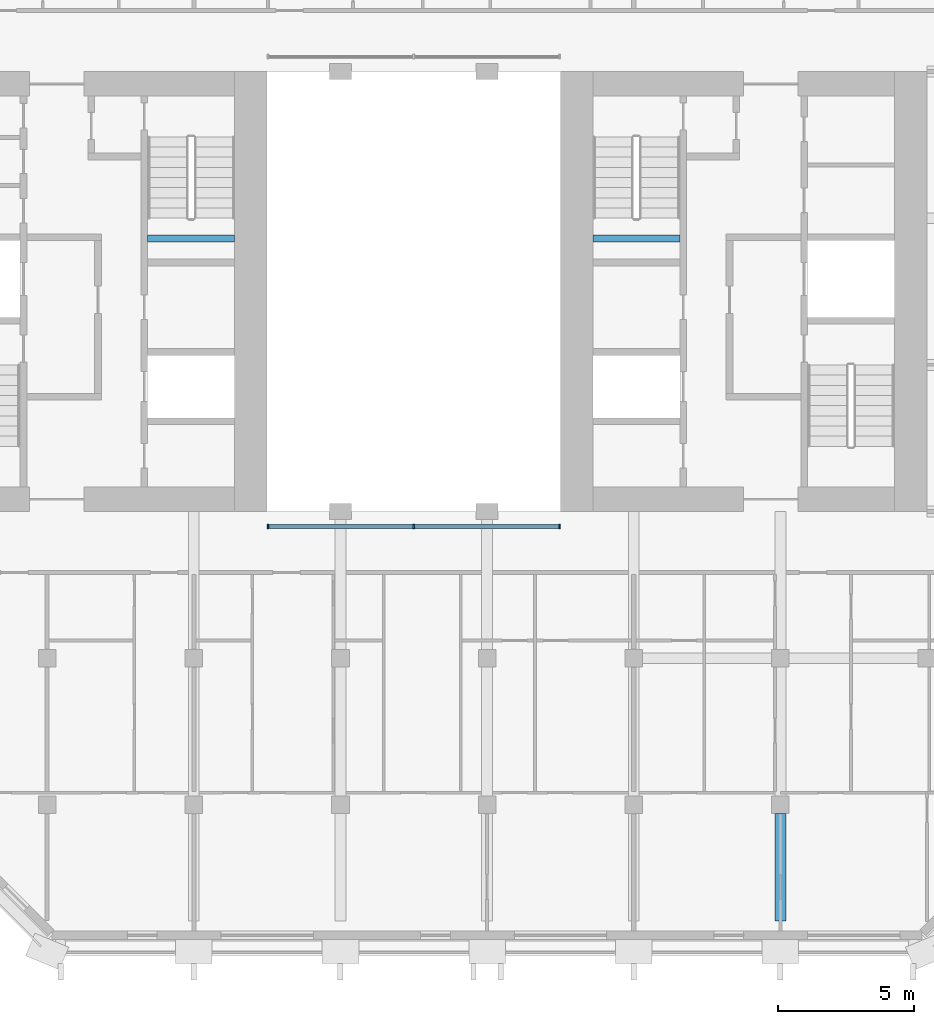
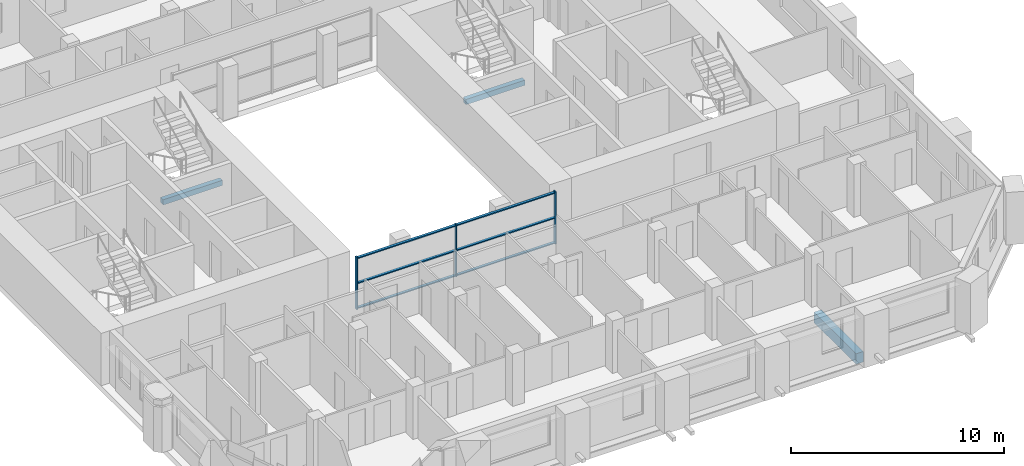
# One storey, part 2 of 14: 9 members, 3 beams, 1 element without a shape of its own.
"""IFC4 building model written with IfcOpenShell, lengths in metres."""

from ifc_helpers import new_model, si_unit, direction, frame, origin, origin_2d, place, context, subcontext, project, spatial, rectangle, extrude, material, material_profile, profile_set, type_object, element, aggregate, save


model = new_model("IFC4")

# Units and contexts
model_context = context("Model", 3, precision=1e-05, world=origin(), true_north=direction((0.0, 1.0)))
body_context = subcontext(model_context, "Body", "Model", "MODEL_VIEW")
ifc_project = project(units=[si_unit("LENGTHUNIT", "METRE"), si_unit("AREAUNIT", "SQUARE_METRE"), si_unit("VOLUMEUNIT", "CUBIC_METRE"), si_unit("PLANEANGLEUNIT", "RADIAN"), si_unit("MASSUNIT", "GRAM", prefix="KILO")], contexts=[model_context])

# Site, building, storey
site_placement = place(None, origin())
site = spatial("IfcSite", under=ifc_project, at=site_placement, CompositionType="ELEMENT")
building_placement = place(site_placement, origin())
building = spatial("IfcBuilding", under=site, at=building_placement, Name="Tabaq Tower and Sports Hall", CompositionType="ELEMENT")
storey_placement = place(building_placement, frame((0.0, 0.0, 281.800048828125)))
storey = spatial("IfcBuildingStorey", under=building, at=storey_placement, Name="L69", CompositionType="ELEMENT", Elevation=281.800048828125)

# Curtain wall, members
ifc_material_1 = material(Name="Aluminium alloy 6063-T6 framed glazing", Category="aluminium")
curtain_wall_type = type_object("IfcCurtainWallType", Name="CW1 curtain wall", PredefinedType="USERDEFINED", material=ifc_material_1)
curtain_wall_placement = place(storey_placement, origin())
curtain_wall = element("IfcCurtainWall", 1, at=curtain_wall_placement, inside=storey, type_object=curtain_wall_type, Name="Atrium glazing L69 S", ObjectType="ATRIUM ENCLOSURE", PredefinedType="USERDEFINED")
ifc_material_2 = material(Name="Aluminium alloy 6063-T6", Category="aluminium")
ifc_material_profile_1 = material_profile(ifc_material_2, rectangle(XDim=0.159912109375, YDim=0.06005859375, at=origin_2d()), Name="MULLION 160x60")
ifc_profile_set_1 = profile_set([ifc_material_profile_1], Name="Aluminium alloy 6063-T6")
member_type_1 = type_object("IfcMemberType", Name="CW1 mullion 160x60", PredefinedType="MULLION", material=ifc_profile_set_1)
member_1_placement = place(storey_placement, frame((18.929931640625, 15.64990234375, 0.0), z_axis=(0.0, 0.0, 1.0), x_axis=(0.0, 1.0, 0.0)))
member_1 = element("IfcMember", 2, at=member_1_placement, type_object=member_type_1, Name="CW1 mullion 1", PredefinedType="MULLION", context=body_context, shape_type="SweptSolid", body=[
    extrude(rectangle(XDim=0.159912109375, YDim=0.06005859375, at=origin_2d()), origin(), (0.0, 0.0, 1.0), 3.0),
])
member_2_placement = place(storey_placement, frame((24.300048828125, 15.64990234375, 0.0), z_axis=(0.0, 0.0, 1.0), x_axis=(0.0, 1.0, 0.0)))
member_2 = element("IfcMember", 3, at=member_2_placement, type_object=member_type_1, Name="CW1 mullion 2", PredefinedType="MULLION", context=body_context, shape_type="SweptSolid", body=[
    extrude(rectangle(XDim=0.159912109375, YDim=0.06005859375, at=origin_2d()), origin(), (0.0, 0.0, 1.0), 3.0),
])
member_3_placement = place(storey_placement, frame((29.669921875, 15.64990234375, 0.0), z_axis=(0.0, 0.0, 1.0), x_axis=(0.0, 1.0, 0.0)))
member_3 = element("IfcMember", 4, at=member_3_placement, type_object=member_type_1, Name="CW1 mullion 3", PredefinedType="MULLION", context=body_context, shape_type="SweptSolid", body=[
    extrude(rectangle(XDim=0.159912109375, YDim=0.06005859375, at=origin_2d()), origin(), (0.0, 0.0, 1.0), 3.0),
])
ifc_material_3 = material(Name="Aluminium alloy 6063-T6", Category="aluminium")
ifc_material_profile_2 = material_profile(ifc_material_3, rectangle(XDim=0.139892578125, YDim=0.06005859375, at=origin_2d()), Name="TRANSOM 140x60")
ifc_profile_set_2 = profile_set([ifc_material_profile_2], Name="Aluminium alloy 6063-T6")
member_type_2 = type_object("IfcMemberType", Name="CW1 transom 140x60", PredefinedType="USERDEFINED", material=ifc_profile_set_2)
member_4_placement = place(storey_placement, frame((18.9599609375, 15.64990234375, 0.070068359375), z_axis=(1.0, 0.0, 0.0), x_axis=(0.0, 1.0, 0.0)))
member_4 = element("IfcMember", 5, at=member_4_placement, type_object=member_type_2, Name="CW1 transom 1.1", ObjectType="TRANSOM", PredefinedType="USERDEFINED", context=body_context, shape_type="SweptSolid", body=[
    extrude(rectangle(XDim=0.139892578125, YDim=0.06005859375, at=origin_2d()), origin(), (0.0, 0.0, 1.0), 5.31005859375),
])
member_5_placement = place(storey_placement, frame((18.9599609375, 15.64990234375, 1.5), z_axis=(1.0, 0.0, 0.0), x_axis=(0.0, 1.0, 0.0)))
member_5 = element("IfcMember", 6, at=member_5_placement, type_object=member_type_2, Name="CW1 transom 1.2", ObjectType="TRANSOM", PredefinedType="USERDEFINED", context=body_context, shape_type="SweptSolid", body=[
    extrude(rectangle(XDim=0.139892578125, YDim=0.06005859375, at=origin_2d()), origin(), (0.0, 0.0, 1.0), 5.31005859375),
])
member_6_placement = place(storey_placement, frame((18.9599609375, 15.64990234375, 2.929931640625), z_axis=(1.0, 0.0, 0.0), x_axis=(0.0, 1.0, 0.0)))
member_6 = element("IfcMember", 7, at=member_6_placement, type_object=member_type_2, Name="CW1 transom 1.3", ObjectType="TRANSOM", PredefinedType="USERDEFINED", context=body_context, shape_type="SweptSolid", body=[
    extrude(rectangle(XDim=0.139892578125, YDim=0.06005859375, at=origin_2d()), origin(), (0.0, 0.0, 1.0), 5.31005859375),
])
member_7_placement = place(storey_placement, frame((24.330078125, 15.64990234375, 0.070068359375), z_axis=(1.0, 0.0, 0.0), x_axis=(0.0, 1.0, 0.0)))
member_7 = element("IfcMember", 8, at=member_7_placement, type_object=member_type_2, Name="CW1 transom 2.1", ObjectType="TRANSOM", PredefinedType="USERDEFINED", context=body_context, shape_type="SweptSolid", body=[
    extrude(rectangle(XDim=0.139892578125, YDim=0.06005859375, at=origin_2d()), origin(), (0.0, 0.0, 1.0), 5.309814453125),
])
member_8_placement = place(storey_placement, frame((24.330078125, 15.64990234375, 1.5), z_axis=(1.0, 0.0, 0.0), x_axis=(0.0, 1.0, 0.0)))
member_8 = element("IfcMember", 9, at=member_8_placement, type_object=member_type_2, Name="CW1 transom 2.2", ObjectType="TRANSOM", PredefinedType="USERDEFINED", context=body_context, shape_type="SweptSolid", body=[
    extrude(rectangle(XDim=0.139892578125, YDim=0.06005859375, at=origin_2d()), origin(), (0.0, 0.0, 1.0), 5.309814453125),
])
member_9_placement = place(storey_placement, frame((24.330078125, 15.64990234375, 2.929931640625), z_axis=(1.0, 0.0, 0.0), x_axis=(0.0, 1.0, 0.0)))
member_9 = element("IfcMember", 10, at=member_9_placement, type_object=member_type_2, Name="CW1 transom 2.3", ObjectType="TRANSOM", PredefinedType="USERDEFINED", context=body_context, shape_type="SweptSolid", body=[
    extrude(rectangle(XDim=0.139892578125, YDim=0.06005859375, at=origin_2d()), origin(), (0.0, 0.0, 1.0), 5.309814453125),
])
aggregate(curtain_wall, [member_1, member_2, member_3, member_4, member_5, member_6, member_7, member_8, member_9])

# Beams
ifc_material_4 = material(Name="Concrete C40/50", Category="concrete")
ifc_material_profile_3 = material_profile(ifc_material_4, rectangle(XDim=0.39990234375, YDim=0.60009765625, at=origin_2d()), Name="CB 400x600")
ifc_profile_set_3 = profile_set([ifc_material_profile_3], Name="Concrete C40/50")
beam_type_1 = type_object("IfcBeamType", Name="PT CANTILEVER BEAM CB 400x600 C40/50", PredefinedType="BEAM", material=ifc_profile_set_3)
beam_1_placement = place(storey_placement, frame((37.800048828125, 1.125, -0.60009765625), z_axis=(0.0, 1.0, 0.0), x_axis=(-1.0, 0.0, 0.0)))
element("IfcBeam", 11, at=beam_1_placement, inside=storey, type_object=beam_type_1, Name="Cantilever Beam L69 S7 span 1", PredefinedType="BEAM", context=body_context, shape_type="SweptSolid", body=[
    extrude(rectangle(XDim=0.39990234375, YDim=0.60009765625, at=origin_2d()), origin(), (0.0, 0.0, 1.0), 3.949951171875),
])
ifc_material_5 = material(Name="Concrete C40/50", Category="concrete")
ifc_material_profile_4 = material_profile(ifc_material_5, rectangle(XDim=0.25, YDim=0.300048828125, at=origin_2d()), Name="RC 250x300")
ifc_profile_set_4 = profile_set([ifc_material_profile_4], Name="Concrete C40/50")
beam_type_2 = type_object("IfcBeamType", Name="Stair landing beam 250x300", PredefinedType="BEAM", material=ifc_profile_set_4)
beam_2_placement = place(storey_placement, frame((14.5, 26.25, 1.300048828125), z_axis=(1.0, 0.0, 0.0), x_axis=(0.0, 1.0, 0.0)))
element("IfcBeam", 12, at=beam_2_placement, inside=storey, type_object=beam_type_2, Name="L69 ST2 landing beam 1", PredefinedType="BEAM", context=body_context, shape_type="SweptSolid", body=[
    extrude(rectangle(XDim=0.25, YDim=0.300048828125, at=origin_2d()), origin(), (0.0, 0.0, 1.0), 3.199951171875),
])
beam_3_placement = place(storey_placement, frame((30.89990234375, 26.25, 1.300048828125), z_axis=(1.0, 0.0, 0.0), x_axis=(0.0, 1.0, 0.0)))
element("IfcBeam", 13, at=beam_3_placement, inside=storey, type_object=beam_type_2, Name="L69 ST4 landing beam 1", PredefinedType="BEAM", context=body_context, shape_type="SweptSolid", body=[
    extrude(rectangle(XDim=0.25, YDim=0.300048828125, at=origin_2d()), origin(), (0.0, 0.0, 1.0), 3.2001953125),
])

save(model, "model.ifc")
